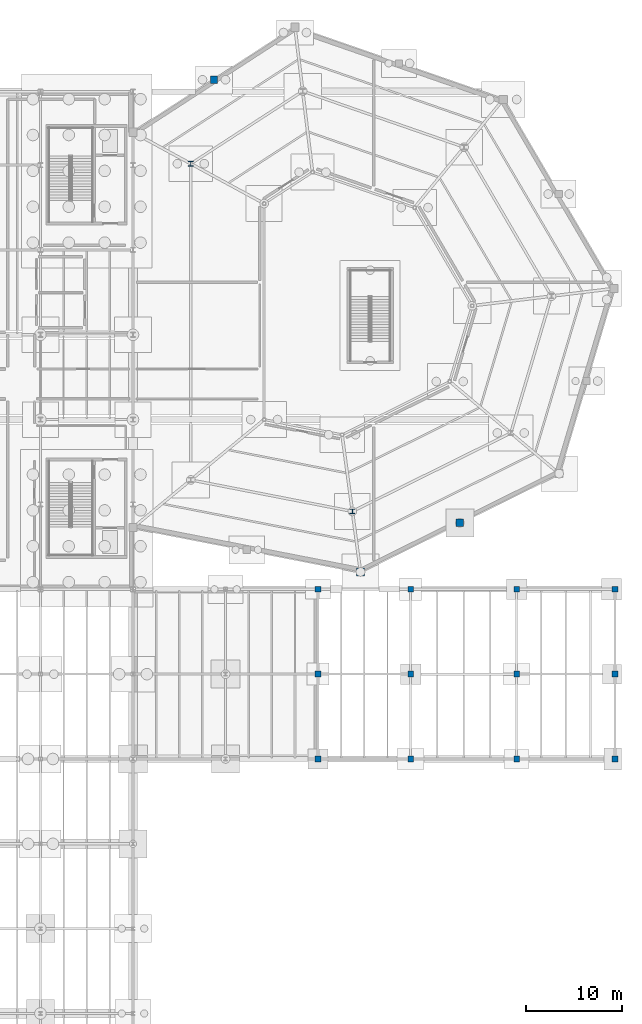
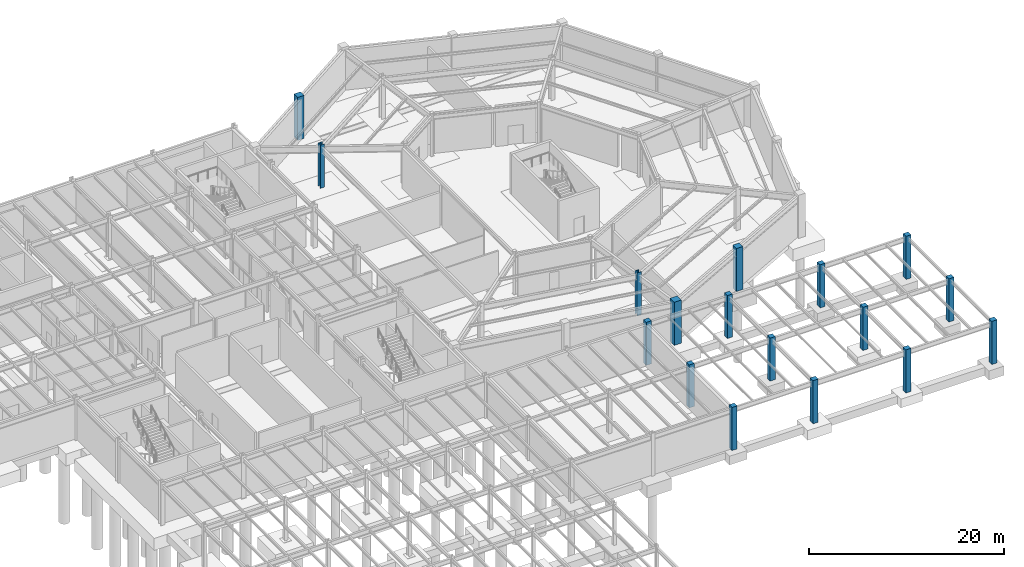
# One storey, part 13 of 48: 17 columns.
"""IFC4 building model written with IfcOpenShell, lengths in metres."""

from ifc_helpers import new_model, si_unit, direction, frame, origin, origin_2d, place, context, subcontext, project, spatial, rectangle, i_section, extrude, material, material_profile, profile_set, type_object, element, save


model = new_model("IFC4")

# Units and contexts
model_context = context("Model", 3, precision=1e-05, world=origin(), true_north=direction((0.0, 1.0)))
body_context = subcontext(model_context, "Body", "Model", "MODEL_VIEW")
ifc_project = project(units=[si_unit("LENGTHUNIT", "METRE"), si_unit("AREAUNIT", "SQUARE_METRE"), si_unit("VOLUMEUNIT", "CUBIC_METRE"), si_unit("PLANEANGLEUNIT", "RADIAN"), si_unit("MASSUNIT", "GRAM", prefix="KILO")], contexts=[model_context])

# Site, building, storey
site_placement = place(None, origin())
site = spatial("IfcSite", under=ifc_project, at=site_placement, CompositionType="ELEMENT")
building_placement = place(site_placement, origin())
building = spatial("IfcBuilding", under=site, at=building_placement, Name="Sarnbrook Museum", CompositionType="ELEMENT")
storey_placement = place(building_placement, frame((0.0, 0.0, -5.39990234375)))
storey = spatial("IfcBuildingStorey", under=building, at=storey_placement, Name="B1", CompositionType="ELEMENT", Elevation=-5.39990234375)

# Columns
ifc_material_1 = material(Name="Concrete N50 (AS 3600, f'c = 50 MPa)", Category="concrete")
ifc_material_profile_1 = material_profile(ifc_material_1, rectangle(XDim=0.60009765625, YDim=0.60009765625, at=origin_2d()), Name="RC 600x600")
ifc_profile_set_1 = profile_set([ifc_material_profile_1], Name="Concrete N50 (AS 3600, f'c = 50 MPa)")
column_type_1 = type_object("IfcColumnType", Name="COL-RC600", PredefinedType="COLUMN", material=ifc_profile_set_1)
for number, where, z_axis, x_axis, name in (
    (1, (138.39990234375, 39.199951171875, 0.0), (0.0, 0.0, 1.0), (1.0, 0.0, 0.0), "Column 15-E B1"),
    (2, (138.39990234375, 48.0, 0.0), (0.0, 0.0, 1.0), (1.0, 0.0, 0.0), "Column 15-F B1"),
    (3, (138.39990234375, 56.800048828125, 0.0), (0.0, 0.0, 1.0), (1.0, 0.0, 0.0), "Column 15-G B1"),
    (4, (148.0, 39.199951171875, 0.0), (0.0, 0.0, 1.0), (1.0, 0.0, 0.0), "Column 16-E B1"),
    (5, (148.0, 48.0, 0.0), (0.0, 0.0, 1.0), (1.0, 0.0, 0.0), "Column 16-F B1"),
    (6, (148.0, 56.800048828125, 0.0), (0.0, 0.0, 1.0), (1.0, 0.0, 0.0), "Column 16-G B1"),
    (7, (159.0, 39.199951171875, 0.0), (0.0, 0.0, 1.0), (1.0, 0.0, 0.0), "Column 17-E B1"),
    (8, (159.0, 48.0, 0.0), (0.0, 0.0, 1.0), (1.0, 0.0, 0.0), "Column 17-F B1"),
    (9, (159.0, 56.800048828125, 0.0), (0.0, 0.0, 1.0), (1.0, 0.0, 0.0), "Column 17-G B1"),
    (10, (169.199951171875, 39.199951171875, 0.0), (0.0, 0.0, 1.0), (1.0, 0.0, 0.0), "Column 18-E B1"),
    (11, (169.199951171875, 48.0, 0.0), (0.0, 0.0, 1.0), (1.0, 0.0, 0.0), "Column 18-F B1"),
    (12, (169.199951171875, 56.800048828125, 0.0), (0.0, 0.0, 1.0), (1.0, 0.0, 0.0), "Column 18-G B1"),
):
    element("IfcColumn", number, at=place(storey_placement, frame(where, z_axis=z_axis, x_axis=x_axis)), inside=storey, type_object=column_type_1, Name=name, PredefinedType="COLUMN", context=body_context, shape_type="SweptSolid", body=[
        extrude(rectangle(XDim=0.60009765625, YDim=0.60009765625, at=origin_2d()), origin(), (0.0, 0.0, 1.0), 5.39990234375),
    ])
ifc_material_profile_2 = material_profile(ifc_material_1, rectangle(XDim=0.75, YDim=0.75, at=origin_2d()), Name="RC 750x750")
ifc_profile_set_2 = profile_set([ifc_material_profile_2], Name="Concrete N50 (AS 3600, f'c = 50 MPa)")
column_type_2 = type_object("IfcColumnType", Name="COL-RC750", PredefinedType="COLUMN", material=ifc_profile_set_2)
for number, where, z_axis, x_axis, name in (
    (13, (153.10009765625, 63.699951171875, 0.0), (0.0, 0.0, 1.0), (1.0, 0.0, 0.0), "Colonnade Pier M2 B1"),
    (14, (127.60009765625, 109.64990234375, 0.0), (0.0, 0.0, 1.0), (1.0, 0.0, 0.0), "Colonnade Pier M6 B1"),
):
    element("IfcColumn", number, at=place(storey_placement, frame(where, z_axis=z_axis, x_axis=x_axis)), inside=storey, type_object=column_type_2, Name=name, PredefinedType="COLUMN", context=body_context, shape_type="SweptSolid", body=[
        extrude(rectangle(XDim=0.75, YDim=0.75, at=origin_2d()), origin(), (0.0, 0.0, 1.0), 5.39990234375),
    ])
ifc_material_profile_3 = material_profile(ifc_material_1, rectangle(XDim=0.85009765625, YDim=0.85009765625, at=origin_2d()), Name="RC 850x850")
ifc_profile_set_3 = profile_set([ifc_material_profile_3], Name="Concrete N50 (AS 3600, f'c = 50 MPa)")
column_type_3 = type_object("IfcColumnType", Name="COL-RC850", PredefinedType="COLUMN", material=ifc_profile_set_3)
column_placement = place(storey_placement, frame((142.800048828125, 58.60009765625, 0.0), z_axis=(0.0, 0.0, 1.0), x_axis=(1.0, 0.0, 0.0)))
element("IfcColumn", 15, at=column_placement, inside=storey, type_object=column_type_3, Name="Crystal Pier Column V2 B1", PredefinedType="COLUMN", context=body_context, shape_type="SweptSolid", body=[
    extrude(rectangle(XDim=0.85009765625, YDim=0.85009765625, at=origin_2d()), origin(), (0.0, 0.0, 1.0), 5.39990234375),
])
ifc_material_2 = material(Name="Structural Steel Grade 350L0 (AS/NZS 3678, fy = 340 MPa for 20 < t <= 40 mm)", Category="steel")
ifc_material_profile_4 = material_profile(ifc_material_2, i_section(OverallWidth=0.5, OverallDepth=0.489990234375, WebThickness=0.028076171875, FlangeThickness=0.0400390625, at=origin_2d()), Name="500WC340")
ifc_profile_set_4 = profile_set([ifc_material_profile_4], Name="Structural Steel Grade 350L0 (AS/NZS 3678, fy = 340 MPa for 20 < t <= 40 mm)")
column_type_4 = type_object("IfcColumnType", Name="COL-WC500", PredefinedType="COLUMN", material=ifc_profile_set_4)
for number, where, z_axis, x_axis, name in (
    (16, (141.9560546875, 64.87744140625, 0.0), (0.0, 0.0, 1.0), (1.0, 0.0, 0.0), "Crystal Hall Ring Column R1-2 B1"),
    (17, (125.199951171875, 100.940673828125, 0.0), (0.0, 0.0, 1.0), (1.0, 0.0, 0.0), "Crystal Hall Ring Column R1-7 B1"),
):
    element("IfcColumn", number, at=place(storey_placement, frame(where, z_axis=z_axis, x_axis=x_axis)), inside=storey, type_object=column_type_4, Name=name, PredefinedType="COLUMN", context=body_context, shape_type="SweptSolid", body=[
        extrude(i_section(OverallWidth=0.5, OverallDepth=0.489990234375, WebThickness=0.028076171875, FlangeThickness=0.0400390625, at=origin_2d()), origin(), (0.0, 0.0, 1.0), 5.39990234375),
    ])

save(model, "model.ifc")
